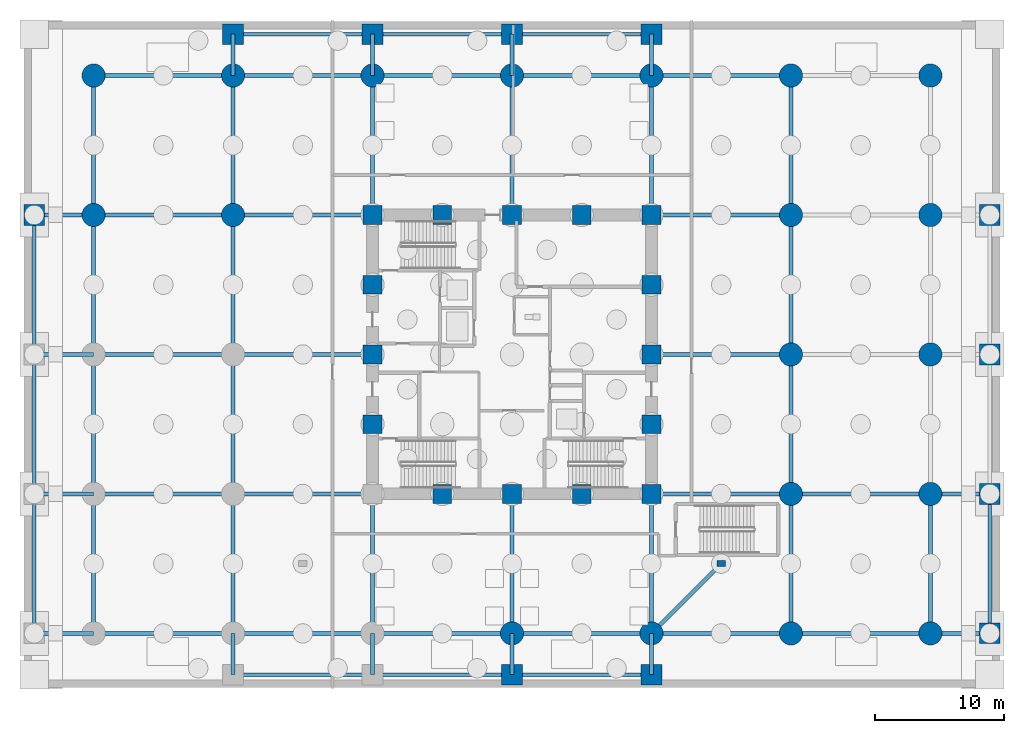
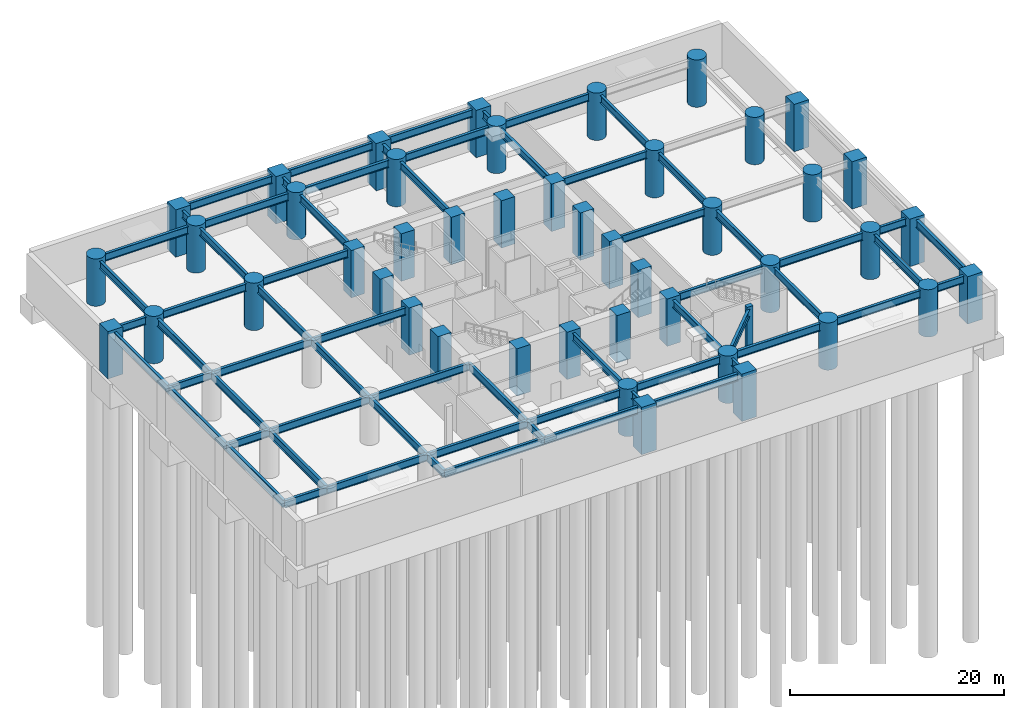
# One storey, part 2 of 9: 65 beams, 46 columns.
"""IFC4 building model written with IfcOpenShell, lengths in metres."""

from ifc_helpers import new_model, si_unit, direction, frame, origin, origin_2d, place, context, subcontext, project, spatial, rectangle, circle, i_section, extrude, material, material_profile, profile_set, type_object, element, save


model = new_model("IFC4")

# Units and contexts
model_context = context("Model", 3, precision=1e-05, world=origin(), true_north=direction((0.0, 1.0)))
body_context = subcontext(model_context, "Body", "Model", "MODEL_VIEW")
ifc_project = project(units=[si_unit("LENGTHUNIT", "METRE"), si_unit("AREAUNIT", "SQUARE_METRE"), si_unit("VOLUMEUNIT", "CUBIC_METRE"), si_unit("PLANEANGLEUNIT", "RADIAN"), si_unit("MASSUNIT", "GRAM", prefix="KILO")], contexts=[model_context])

# Site, building, storey
site_placement = place(None, origin())
site = spatial("IfcSite", under=ifc_project, at=site_placement, CompositionType="ELEMENT")
building_placement = place(site_placement, origin())
building = spatial("IfcBuilding", under=site, at=building_placement, Name="Surkhivell Harbour Commons", CompositionType="ELEMENT")
storey_placement = place(building_placement, frame((0.0, 0.0, -5.39990234375)))
storey = spatial("IfcBuildingStorey", under=building, at=storey_placement, Name="B1", CompositionType="ELEMENT", Elevation=-5.39990234375)

# Columns
ifc_material_1 = material(Name="Concrete C80/95", Category="concrete")
ifc_material_profile_1 = material_profile(ifc_material_1, rectangle(XDim=1.449951171875, YDim=1.449951171875, at=origin_2d()), Name="RC-COL-1450x1450")
ifc_profile_set_1 = profile_set([ifc_material_profile_1], Name="Concrete C80/95")
column_type_1 = type_object("IfcColumnType", Name="COL-CORE-1450", PredefinedType="COLUMN", material=ifc_profile_set_1)
for number, where, z_axis, x_axis, name in (
    (1, (-10.800048828125, -5.39990234375, 0.0), (0.0, 0.0, 1.0), (1.0, 0.0, 0.0), "B1 Column CC-1 (-10.8,-5.4)"),
    (2, (-10.800048828125, 0.0, 0.0), (0.0, 0.0, 1.0), (1.0, 0.0, 0.0), "B1 Column CC-1 (-10.8,0.0)"),
    (3, (-10.800048828125, 5.39990234375, 0.0), (0.0, 0.0, 1.0), (1.0, 0.0, 0.0), "B1 Column CC-1 (-10.8,5.4)"),
    (4, (-10.800048828125, 10.800048828125, 0.0), (0.0, 0.0, 1.0), (1.0, 0.0, 0.0), "B1 Column CC-1 (-10.8,10.8)"),
    (5, (-5.39990234375, -10.800048828125, 0.0), (0.0, 0.0, 1.0), (1.0, 0.0, 0.0), "B1 Column CC-1 (-5.4,-10.8)"),
    (6, (-5.39990234375, 10.800048828125, 0.0), (0.0, 0.0, 1.0), (1.0, 0.0, 0.0), "B1 Column CC-1 (-5.4,10.8)"),
    (7, (0.0, -10.800048828125, 0.0), (0.0, 0.0, 1.0), (1.0, 0.0, 0.0), "B1 Column CC-1 (0.0,-10.8)"),
    (8, (0.0, 10.800048828125, 0.0), (0.0, 0.0, 1.0), (1.0, 0.0, 0.0), "B1 Column CC-1 (0.0,10.8)"),
    (9, (5.39990234375, -10.800048828125, 0.0), (0.0, 0.0, 1.0), (1.0, 0.0, 0.0), "B1 Column CC-1 (5.4,-10.8)"),
    (10, (5.39990234375, 10.800048828125, 0.0), (0.0, 0.0, 1.0), (1.0, 0.0, 0.0), "B1 Column CC-1 (5.4,10.8)"),
    (11, (10.800048828125, -10.800048828125, 0.0), (0.0, 0.0, 1.0), (1.0, 0.0, 0.0), "B1 Column CC-1 (10.8,-10.8)"),
    (12, (10.800048828125, -5.39990234375, 0.0), (0.0, 0.0, 1.0), (1.0, 0.0, 0.0), "B1 Column CC-1 (10.8,-5.4)"),
    (13, (10.800048828125, 0.0, 0.0), (0.0, 0.0, 1.0), (1.0, 0.0, 0.0), "B1 Column CC-1 (10.8,0.0)"),
    (14, (10.800048828125, 5.39990234375, 0.0), (0.0, 0.0, 1.0), (1.0, 0.0, 0.0), "B1 Column CC-1 (10.8,5.4)"),
    (15, (10.800048828125, 10.800048828125, 0.0), (0.0, 0.0, 1.0), (1.0, 0.0, 0.0), "B1 Column CC-1 (10.8,10.8)"),
):
    element("IfcColumn", number, at=place(storey_placement, frame(where, z_axis=z_axis, x_axis=x_axis)), inside=storey, type_object=column_type_1, Name=name, PredefinedType="COLUMN", context=body_context, shape_type="SweptSolid", body=[
        extrude(rectangle(XDim=1.449951171875, YDim=1.449951171875, at=origin_2d()), origin(), (0.0, 0.0, 1.0), 5.39990234375),
    ])
ifc_material_profile_2 = material_profile(ifc_material_1, rectangle(XDim=1.60009765625, YDim=1.60009765625, at=origin_2d()), Name="RC-COL-1600x1600")
ifc_profile_set_2 = profile_set([ifc_material_profile_2], Name="Concrete C80/95")
column_type_2 = type_object("IfcColumnType", Name="COL-MEGA-1600", PredefinedType="COLUMN", material=ifc_profile_set_2)
for number, where, z_axis, x_axis, name in (
    (16, (-37.0, 10.800048828125, 0.0), (0.0, 0.0, 1.0), (1.0, 0.0, 0.0), "B1 Column CM-1 (-37.0,10.8)"),
    (17, (-21.60009765625, 24.800048828125, 0.0), (0.0, 0.0, 1.0), (1.0, 0.0, 0.0), "B1 Column CM-1 (-21.6,24.8)"),
    (18, (-10.800048828125, 24.800048828125, 0.0), (0.0, 0.0, 1.0), (1.0, 0.0, 0.0), "B1 Column CM-1 (-10.8,24.8)"),
    (19, (0.0, -24.800048828125, 0.0), (0.0, 0.0, 1.0), (1.0, 0.0, 0.0), "B1 Column CM-1 (0.0,-24.8)"),
    (20, (0.0, 24.800048828125, 0.0), (0.0, 0.0, 1.0), (1.0, 0.0, 0.0), "B1 Column CM-1 (0.0,24.8)"),
    (21, (10.800048828125, -24.800048828125, 0.0), (0.0, 0.0, 1.0), (1.0, 0.0, 0.0), "B1 Column CM-1 (10.8,-24.8)"),
    (22, (10.800048828125, 24.800048828125, 0.0), (0.0, 0.0, 1.0), (1.0, 0.0, 0.0), "B1 Column CM-1 (10.8,24.8)"),
    (23, (37.0, -21.60009765625, 0.0), (0.0, 0.0, 1.0), (1.0, 0.0, 0.0), "B1 Column CM-1 (37.0,-21.6)"),
    (24, (37.0, -10.800048828125, 0.0), (0.0, 0.0, 1.0), (1.0, 0.0, 0.0), "B1 Column CM-1 (37.0,-10.8)"),
    (25, (37.0, 0.0, 0.0), (0.0, 0.0, 1.0), (1.0, 0.0, 0.0), "B1 Column CM-1 (37.0,0.0)"),
    (26, (37.0, 10.800048828125, 0.0), (0.0, 0.0, 1.0), (1.0, 0.0, 0.0), "B1 Column CM-1 (37.0,10.8)"),
):
    element("IfcColumn", number, at=place(storey_placement, frame(where, z_axis=z_axis, x_axis=x_axis)), inside=storey, type_object=column_type_2, Name=name, PredefinedType="COLUMN", context=body_context, shape_type="SweptSolid", body=[
        extrude(rectangle(XDim=1.60009765625, YDim=1.60009765625, at=origin_2d()), origin(), (0.0, 0.0, 1.0), 5.39990234375),
    ])
ifc_material_2 = material(Name="Concrete C50/60", Category="concrete")
ifc_material_profile_3 = material_profile(ifc_material_2, rectangle(XDim=0.64990234375, YDim=0.449951171875, at=origin_2d()), Name="RC-PIL-650x450")
ifc_profile_set_3 = profile_set([ifc_material_profile_3], Name="Concrete C50/60")
column_type_3 = type_object("IfcColumnType", Name="COL-PIL-650", PredefinedType="PILASTER", material=ifc_profile_set_3)
column_placement = place(storey_placement, frame((16.199951171875, -16.199951171875, 0.0), z_axis=(0.0, 0.0, 1.0), x_axis=(1.0, 0.0, 0.0)))
element("IfcColumn", 27, at=column_placement, inside=storey, type_object=column_type_3, Name="B1 Brick-Clad Entrance Pilaster 2", PredefinedType="PILASTER", context=body_context, shape_type="SweptSolid", body=[
    extrude(rectangle(XDim=0.64990234375, YDim=0.449951171875, at=origin_2d()), origin(), (0.0, 0.0, 1.0), 5.39990234375),
])
ifc_material_profile_4 = material_profile(ifc_material_1, circle(Radius=0.89990234375, at=origin_2d()), Name="RC-CIRC-1800")
ifc_profile_set_4 = profile_set([ifc_material_profile_4], Name="Concrete C80/95")
column_type_4 = type_object("IfcColumnType", Name="COL-STILT-1800", PredefinedType="COLUMN", material=ifc_profile_set_4)
for number, where, z_axis, x_axis, name in (
    (28, (-32.39990234375, 10.800048828125, 0.0), (0.0, 0.0, 1.0), (1.0, 0.0, 0.0), "B1 Column CS-1 (-32.4,10.8)"),
    (29, (-32.39990234375, 21.60009765625, 0.0), (0.0, 0.0, 1.0), (1.0, 0.0, 0.0), "B1 Column CS-1 (-32.4,21.6)"),
    (30, (-21.60009765625, 10.800048828125, 0.0), (0.0, 0.0, 1.0), (1.0, 0.0, 0.0), "B1 Column CS-1 (-21.6,10.8)"),
    (31, (-21.60009765625, 21.60009765625, 0.0), (0.0, 0.0, 1.0), (1.0, 0.0, 0.0), "B1 Column CS-1 (-21.6,21.6)"),
    (32, (-10.800048828125, 21.60009765625, 0.0), (0.0, 0.0, 1.0), (1.0, 0.0, 0.0), "B1 Column CS-1 (-10.8,21.6)"),
    (33, (0.0, -21.60009765625, 0.0), (0.0, 0.0, 1.0), (1.0, 0.0, 0.0), "B1 Column CS-1 (0.0,-21.6)"),
    (34, (0.0, 21.60009765625, 0.0), (0.0, 0.0, 1.0), (1.0, 0.0, 0.0), "B1 Column CS-1 (0.0,21.6)"),
    (35, (10.800048828125, -21.60009765625, 0.0), (0.0, 0.0, 1.0), (1.0, 0.0, 0.0), "B1 Column CS-1 (10.8,-21.6)"),
    (36, (10.800048828125, 21.60009765625, 0.0), (0.0, 0.0, 1.0), (1.0, 0.0, 0.0), "B1 Column CS-1 (10.8,21.6)"),
    (37, (21.60009765625, -21.60009765625, 0.0), (0.0, 0.0, 1.0), (1.0, 0.0, 0.0), "B1 Column CS-1 (21.6,-21.6)"),
    (38, (21.60009765625, -10.800048828125, 0.0), (0.0, 0.0, 1.0), (1.0, 0.0, 0.0), "B1 Column CS-1 (21.6,-10.8)"),
    (39, (21.60009765625, 0.0, 0.0), (0.0, 0.0, 1.0), (1.0, 0.0, 0.0), "B1 Column CS-1 (21.6,0.0)"),
    (40, (21.60009765625, 10.800048828125, 0.0), (0.0, 0.0, 1.0), (1.0, 0.0, 0.0), "B1 Column CS-1 (21.6,10.8)"),
    (41, (21.60009765625, 21.60009765625, 0.0), (0.0, 0.0, 1.0), (1.0, 0.0, 0.0), "B1 Column CS-1 (21.6,21.6)"),
    (42, (32.39990234375, -21.60009765625, 0.0), (0.0, 0.0, 1.0), (1.0, 0.0, 0.0), "B1 Column CS-1 (32.4,-21.6)"),
    (43, (32.39990234375, -10.800048828125, 0.0), (0.0, 0.0, 1.0), (1.0, 0.0, 0.0), "B1 Column CS-1 (32.4,-10.8)"),
    (44, (32.39990234375, 0.0, 0.0), (0.0, 0.0, 1.0), (1.0, 0.0, 0.0), "B1 Column CS-1 (32.4,0.0)"),
    (45, (32.39990234375, 10.800048828125, 0.0), (0.0, 0.0, 1.0), (1.0, 0.0, 0.0), "B1 Column CS-1 (32.4,10.8)"),
    (46, (32.39990234375, 21.60009765625, 0.0), (0.0, 0.0, 1.0), (1.0, 0.0, 0.0), "B1 Column CS-1 (32.4,21.6)"),
):
    element("IfcColumn", number, at=place(storey_placement, frame(where, z_axis=z_axis, x_axis=x_axis)), inside=storey, type_object=column_type_4, Name=name, PredefinedType="COLUMN", context=body_context, shape_type="SweptSolid", body=[
        extrude(circle(Radius=0.89990234375, at=origin_2d()), origin(), (0.0, 0.0, 1.0), 5.39990234375),
    ])

# Beams
ifc_material_3 = material(Name="Steel S460", Category="steel")
ifc_material_profile_5 = material_profile(ifc_material_3, i_section(OverallWidth=0.2939453125, OverallDepth=0.85107421875, WebThickness=0.01611328125, FlangeThickness=0.02685546875, at=origin_2d()), Name="UB838x292x226")
ifc_profile_set_5 = profile_set([ifc_material_profile_5], Name="Steel S460")
beam_type = type_object("IfcBeamType", Name="BM-SPN-838", PredefinedType="SPANDREL", material=ifc_profile_set_5)
beam_1_placement = place(storey_placement, frame((-37.0, -21.60009765625, 4.67431640625), z_axis=(0.0, 1.0, 0.0), x_axis=(-1.0, 0.0, 0.0)))
element("IfcBeam", 47, at=beam_1_placement, inside=storey, type_object=beam_type, Name="B1 Framing Beam (-37.0,-21.6)", PredefinedType="SPANDREL", context=body_context, shape_type="SweptSolid", body=[
    extrude(i_section(OverallWidth=0.2939453125, OverallDepth=0.85107421875, WebThickness=0.01611328125, FlangeThickness=0.02685546875, at=origin_2d()), origin(), (0.0, 0.0, 1.0), 10.800048828125),
])
beam_2_placement = place(storey_placement, frame((-37.0, -21.60009765625, 4.67431640625), z_axis=(1.0, 0.0, 0.0), x_axis=(0.0, 1.0, 0.0)))
element("IfcBeam", 48, at=beam_2_placement, inside=storey, type_object=beam_type, Name="B1 Framing Beam (-37.0,-21.6)", PredefinedType="SPANDREL", context=body_context, shape_type="SweptSolid", body=[
    extrude(i_section(OverallWidth=0.2939453125, OverallDepth=0.85107421875, WebThickness=0.01611328125, FlangeThickness=0.02685546875, at=origin_2d()), origin(), (0.0, 0.0, 1.0), 4.60009765625),
])
beam_3_placement = place(storey_placement, frame((-37.0, -10.800048828125, 4.67431640625), z_axis=(0.0, 1.0, 0.0), x_axis=(-1.0, 0.0, 0.0)))
element("IfcBeam", 49, at=beam_3_placement, inside=storey, type_object=beam_type, Name="B1 Framing Beam (-37.0,-10.8)", PredefinedType="SPANDREL", context=body_context, shape_type="SweptSolid", body=[
    extrude(i_section(OverallWidth=0.2939453125, OverallDepth=0.85107421875, WebThickness=0.01611328125, FlangeThickness=0.02685546875, at=origin_2d()), origin(), (0.0, 0.0, 1.0), 10.800048828125),
])
beam_4_placement = place(storey_placement, frame((-37.0, -10.800048828125, 4.67431640625), z_axis=(1.0, 0.0, 0.0), x_axis=(0.0, 1.0, 0.0)))
element("IfcBeam", 50, at=beam_4_placement, inside=storey, type_object=beam_type, Name="B1 Framing Beam (-37.0,-10.8)", PredefinedType="SPANDREL", context=body_context, shape_type="SweptSolid", body=[
    extrude(i_section(OverallWidth=0.2939453125, OverallDepth=0.85107421875, WebThickness=0.01611328125, FlangeThickness=0.02685546875, at=origin_2d()), origin(), (0.0, 0.0, 1.0), 4.60009765625),
])
beam_5_placement = place(storey_placement, frame((-37.0, 0.0, 4.67431640625), z_axis=(0.0, 1.0, 0.0), x_axis=(-1.0, 0.0, 0.0)))
element("IfcBeam", 51, at=beam_5_placement, inside=storey, type_object=beam_type, Name="B1 Framing Beam (-37.0,0.0)", PredefinedType="SPANDREL", context=body_context, shape_type="SweptSolid", body=[
    extrude(i_section(OverallWidth=0.2939453125, OverallDepth=0.85107421875, WebThickness=0.01611328125, FlangeThickness=0.02685546875, at=origin_2d()), origin(), (0.0, 0.0, 1.0), 10.800048828125),
])
for number, where, z_axis, x_axis, name in (
    (52, (-37.0, 0.0, 4.67431640625), (1.0, 0.0, 0.0), (0.0, 1.0, 0.0), "B1 Framing Beam (-37.0,0.0)"),
    (53, (-37.0, 10.800048828125, 4.67431640625), (1.0, 0.0, 0.0), (0.0, 1.0, 0.0), "B1 Framing Beam (-37.0,10.8)"),
):
    element("IfcBeam", number, at=place(storey_placement, frame(where, z_axis=z_axis, x_axis=x_axis)), inside=storey, type_object=beam_type, Name=name, PredefinedType="SPANDREL", context=body_context, shape_type="SweptSolid", body=[
        extrude(i_section(OverallWidth=0.2939453125, OverallDepth=0.85107421875, WebThickness=0.01611328125, FlangeThickness=0.02685546875, at=origin_2d()), origin(), (0.0, 0.0, 1.0), 4.60009765625),
    ])
beam_6_placement = place(storey_placement, frame((-32.39990234375, -21.60009765625, 4.67431640625), z_axis=(0.0, 1.0, 0.0), x_axis=(-1.0, 0.0, 0.0)))
element("IfcBeam", 54, at=beam_6_placement, inside=storey, type_object=beam_type, Name="B1 Framing Beam (-32.4,-21.6)", PredefinedType="SPANDREL", context=body_context, shape_type="SweptSolid", body=[
    extrude(i_section(OverallWidth=0.2939453125, OverallDepth=0.85107421875, WebThickness=0.01611328125, FlangeThickness=0.02685546875, at=origin_2d()), origin(), (0.0, 0.0, 1.0), 10.800048828125),
])
beam_7_placement = place(storey_placement, frame((-32.39990234375, -21.60009765625, 4.67431640625), z_axis=(1.0, 0.0, 0.0), x_axis=(0.0, 1.0, 0.0)))
element("IfcBeam", 55, at=beam_7_placement, inside=storey, type_object=beam_type, Name="B1 Framing Beam (-32.4,-21.6)", PredefinedType="SPANDREL", context=body_context, shape_type="SweptSolid", body=[
    extrude(i_section(OverallWidth=0.2939453125, OverallDepth=0.85107421875, WebThickness=0.01611328125, FlangeThickness=0.02685546875, at=origin_2d()), origin(), (0.0, 0.0, 1.0), 10.7998046875),
])
beam_8_placement = place(storey_placement, frame((-32.39990234375, -10.800048828125, 4.67431640625), z_axis=(0.0, 1.0, 0.0), x_axis=(-1.0, 0.0, 0.0)))
element("IfcBeam", 56, at=beam_8_placement, inside=storey, type_object=beam_type, Name="B1 Framing Beam (-32.4,-10.8)", PredefinedType="SPANDREL", context=body_context, shape_type="SweptSolid", body=[
    extrude(i_section(OverallWidth=0.2939453125, OverallDepth=0.85107421875, WebThickness=0.01611328125, FlangeThickness=0.02685546875, at=origin_2d()), origin(), (0.0, 0.0, 1.0), 10.800048828125),
])
beam_9_placement = place(storey_placement, frame((-32.39990234375, -10.800048828125, 4.67431640625), z_axis=(1.0, 0.0, 0.0), x_axis=(0.0, 1.0, 0.0)))
element("IfcBeam", 57, at=beam_9_placement, inside=storey, type_object=beam_type, Name="B1 Framing Beam (-32.4,-10.8)", PredefinedType="SPANDREL", context=body_context, shape_type="SweptSolid", body=[
    extrude(i_section(OverallWidth=0.2939453125, OverallDepth=0.85107421875, WebThickness=0.01611328125, FlangeThickness=0.02685546875, at=origin_2d()), origin(), (0.0, 0.0, 1.0), 10.7998046875),
])
beam_10_placement = place(storey_placement, frame((-32.39990234375, 0.0, 4.67431640625), z_axis=(0.0, 1.0, 0.0), x_axis=(-1.0, 0.0, 0.0)))
element("IfcBeam", 58, at=beam_10_placement, inside=storey, type_object=beam_type, Name="B1 Framing Beam (-32.4,0.0)", PredefinedType="SPANDREL", context=body_context, shape_type="SweptSolid", body=[
    extrude(i_section(OverallWidth=0.2939453125, OverallDepth=0.85107421875, WebThickness=0.01611328125, FlangeThickness=0.02685546875, at=origin_2d()), origin(), (0.0, 0.0, 1.0), 10.800048828125),
])
beam_11_placement = place(storey_placement, frame((-32.39990234375, 0.0, 4.67431640625), z_axis=(1.0, 0.0, 0.0), x_axis=(0.0, 1.0, 0.0)))
element("IfcBeam", 59, at=beam_11_placement, inside=storey, type_object=beam_type, Name="B1 Framing Beam (-32.4,0.0)", PredefinedType="SPANDREL", context=body_context, shape_type="SweptSolid", body=[
    extrude(i_section(OverallWidth=0.2939453125, OverallDepth=0.85107421875, WebThickness=0.01611328125, FlangeThickness=0.02685546875, at=origin_2d()), origin(), (0.0, 0.0, 1.0), 10.7998046875),
])
beam_12_placement = place(storey_placement, frame((-32.39990234375, 10.800048828125, 4.67431640625), z_axis=(0.0, 1.0, 0.0), x_axis=(-1.0, 0.0, 0.0)))
element("IfcBeam", 60, at=beam_12_placement, inside=storey, type_object=beam_type, Name="B1 Framing Beam (-32.4,10.8)", PredefinedType="SPANDREL", context=body_context, shape_type="SweptSolid", body=[
    extrude(i_section(OverallWidth=0.2939453125, OverallDepth=0.85107421875, WebThickness=0.01611328125, FlangeThickness=0.02685546875, at=origin_2d()), origin(), (0.0, 0.0, 1.0), 10.800048828125),
])
for number, where, z_axis, x_axis, name in (
    (61, (-32.39990234375, 10.800048828125, 4.67431640625), (1.0, 0.0, 0.0), (0.0, 1.0, 0.0), "B1 Framing Beam (-32.4,10.8)"),
    (62, (-32.39990234375, 21.60009765625, 4.67431640625), (1.0, 0.0, 0.0), (0.0, 1.0, 0.0), "B1 Framing Beam (-32.4,21.6)"),
):
    element("IfcBeam", number, at=place(storey_placement, frame(where, z_axis=z_axis, x_axis=x_axis)), inside=storey, type_object=beam_type, Name=name, PredefinedType="SPANDREL", context=body_context, shape_type="SweptSolid", body=[
        extrude(i_section(OverallWidth=0.2939453125, OverallDepth=0.85107421875, WebThickness=0.01611328125, FlangeThickness=0.02685546875, at=origin_2d()), origin(), (0.0, 0.0, 1.0), 10.7998046875),
    ])
beam_13_placement = place(storey_placement, frame((-21.60009765625, -24.800048828125, 4.67431640625), z_axis=(0.0, 1.0, 0.0), x_axis=(-1.0, 0.0, 0.0)))
element("IfcBeam", 63, at=beam_13_placement, inside=storey, type_object=beam_type, Name="B1 Framing Beam (-21.6,-24.8)", PredefinedType="SPANDREL", context=body_context, shape_type="SweptSolid", body=[
    extrude(i_section(OverallWidth=0.2939453125, OverallDepth=0.85107421875, WebThickness=0.01611328125, FlangeThickness=0.02685546875, at=origin_2d()), origin(), (0.0, 0.0, 1.0), 3.199951171875),
])
for number, where, z_axis, x_axis, name in (
    (64, (-21.60009765625, -24.800048828125, 4.67431640625), (1.0, 0.0, 0.0), (0.0, 1.0, 0.0), "B1 Framing Beam (-21.6,-24.8)"),
    (65, (-21.60009765625, -21.60009765625, 4.67431640625), (0.0, 1.0, 0.0), (-1.0, 0.0, 0.0), "B1 Framing Beam (-21.6,-21.6)"),
    (66, (-21.60009765625, -21.60009765625, 4.67431640625), (1.0, 0.0, 0.0), (0.0, 1.0, 0.0), "B1 Framing Beam (-21.6,-21.6)"),
    (67, (-21.60009765625, -10.800048828125, 4.67431640625), (0.0, 1.0, 0.0), (-1.0, 0.0, 0.0), "B1 Framing Beam (-21.6,-10.8)"),
    (68, (-21.60009765625, -10.800048828125, 4.67431640625), (1.0, 0.0, 0.0), (0.0, 1.0, 0.0), "B1 Framing Beam (-21.6,-10.8)"),
    (69, (-21.60009765625, 0.0, 4.67431640625), (0.0, 1.0, 0.0), (-1.0, 0.0, 0.0), "B1 Framing Beam (-21.6,0.0)"),
    (70, (-21.60009765625, 0.0, 4.67431640625), (1.0, 0.0, 0.0), (0.0, 1.0, 0.0), "B1 Framing Beam (-21.6,0.0)"),
    (71, (-21.60009765625, 10.800048828125, 4.67431640625), (0.0, 1.0, 0.0), (-1.0, 0.0, 0.0), "B1 Framing Beam (-21.6,10.8)"),
    (72, (-21.60009765625, 10.800048828125, 4.67431640625), (1.0, 0.0, 0.0), (0.0, 1.0, 0.0), "B1 Framing Beam (-21.6,10.8)"),
):
    element("IfcBeam", number, at=place(storey_placement, frame(where, z_axis=z_axis, x_axis=x_axis)), inside=storey, type_object=beam_type, Name=name, PredefinedType="SPANDREL", context=body_context, shape_type="SweptSolid", body=[
        extrude(i_section(OverallWidth=0.2939453125, OverallDepth=0.85107421875, WebThickness=0.01611328125, FlangeThickness=0.02685546875, at=origin_2d()), origin(), (0.0, 0.0, 1.0), 10.800048828125),
    ])
beam_14_placement = place(storey_placement, frame((-21.60009765625, 21.60009765625, 4.67431640625), z_axis=(0.0, 1.0, 0.0), x_axis=(-1.0, 0.0, 0.0)))
element("IfcBeam", 73, at=beam_14_placement, inside=storey, type_object=beam_type, Name="B1 Framing Beam (-21.6,21.6)", PredefinedType="SPANDREL", context=body_context, shape_type="SweptSolid", body=[
    extrude(i_section(OverallWidth=0.2939453125, OverallDepth=0.85107421875, WebThickness=0.01611328125, FlangeThickness=0.02685546875, at=origin_2d()), origin(), (0.0, 0.0, 1.0), 3.199951171875),
])
for number, where, z_axis, x_axis, name in (
    (74, (-21.60009765625, 21.60009765625, 4.67431640625), (1.0, 0.0, 0.0), (0.0, 1.0, 0.0), "B1 Framing Beam (-21.6,21.6)"),
    (75, (-21.60009765625, 24.800048828125, 4.67431640625), (1.0, 0.0, 0.0), (0.0, 1.0, 0.0), "B1 Framing Beam (-21.6,24.8)"),
):
    element("IfcBeam", number, at=place(storey_placement, frame(where, z_axis=z_axis, x_axis=x_axis)), inside=storey, type_object=beam_type, Name=name, PredefinedType="SPANDREL", context=body_context, shape_type="SweptSolid", body=[
        extrude(i_section(OverallWidth=0.2939453125, OverallDepth=0.85107421875, WebThickness=0.01611328125, FlangeThickness=0.02685546875, at=origin_2d()), origin(), (0.0, 0.0, 1.0), 10.800048828125),
    ])
beam_15_placement = place(storey_placement, frame((-10.800048828125, -24.800048828125, 4.67431640625), z_axis=(0.0, 1.0, 0.0), x_axis=(-1.0, 0.0, 0.0)))
element("IfcBeam", 76, at=beam_15_placement, inside=storey, type_object=beam_type, Name="B1 Framing Beam (-10.8,-24.8)", PredefinedType="SPANDREL", context=body_context, shape_type="SweptSolid", body=[
    extrude(i_section(OverallWidth=0.2939453125, OverallDepth=0.85107421875, WebThickness=0.01611328125, FlangeThickness=0.02685546875, at=origin_2d()), origin(), (0.0, 0.0, 1.0), 3.199951171875),
])
for number, where, z_axis, x_axis, name in (
    (77, (-10.800048828125, -24.800048828125, 4.67431640625), (1.0, 0.0, 0.0), (0.0, 1.0, 0.0), "B1 Framing Beam (-10.8,-24.8)"),
    (78, (-10.800048828125, -21.60009765625, 4.67431640625), (0.0, 1.0, 0.0), (-1.0, 0.0, 0.0), "B1 Framing Beam (-10.8,-21.6)"),
    (79, (-10.800048828125, -21.60009765625, 4.67431640625), (1.0, 0.0, 0.0), (0.0, 1.0, 0.0), "B1 Framing Beam (-10.8,-21.6)"),
    (80, (-10.800048828125, 10.800048828125, 4.67431640625), (0.0, 1.0, 0.0), (-1.0, 0.0, 0.0), "B1 Framing Beam (-10.8,10.8)"),
):
    element("IfcBeam", number, at=place(storey_placement, frame(where, z_axis=z_axis, x_axis=x_axis)), inside=storey, type_object=beam_type, Name=name, PredefinedType="SPANDREL", context=body_context, shape_type="SweptSolid", body=[
        extrude(i_section(OverallWidth=0.2939453125, OverallDepth=0.85107421875, WebThickness=0.01611328125, FlangeThickness=0.02685546875, at=origin_2d()), origin(), (0.0, 0.0, 1.0), 10.800048828125),
    ])
beam_16_placement = place(storey_placement, frame((-10.800048828125, 21.60009765625, 4.67431640625), z_axis=(0.0, 1.0, 0.0), x_axis=(-1.0, 0.0, 0.0)))
element("IfcBeam", 81, at=beam_16_placement, inside=storey, type_object=beam_type, Name="B1 Framing Beam (-10.8,21.6)", PredefinedType="SPANDREL", context=body_context, shape_type="SweptSolid", body=[
    extrude(i_section(OverallWidth=0.2939453125, OverallDepth=0.85107421875, WebThickness=0.01611328125, FlangeThickness=0.02685546875, at=origin_2d()), origin(), (0.0, 0.0, 1.0), 3.199951171875),
])
for number, where, z_axis, x_axis, name in (
    (82, (-10.800048828125, 21.60009765625, 4.67431640625), (1.0, 0.0, 0.0), (0.0, 1.0, 0.0), "B1 Framing Beam (-10.8,21.6)"),
    (83, (-10.800048828125, 24.800048828125, 4.67431640625), (1.0, 0.0, 0.0), (0.0, 1.0, 0.0), "B1 Framing Beam (-10.8,24.8)"),
):
    element("IfcBeam", number, at=place(storey_placement, frame(where, z_axis=z_axis, x_axis=x_axis)), inside=storey, type_object=beam_type, Name=name, PredefinedType="SPANDREL", context=body_context, shape_type="SweptSolid", body=[
        extrude(i_section(OverallWidth=0.2939453125, OverallDepth=0.85107421875, WebThickness=0.01611328125, FlangeThickness=0.02685546875, at=origin_2d()), origin(), (0.0, 0.0, 1.0), 10.800048828125),
    ])
beam_17_placement = place(storey_placement, frame((0.0, -24.800048828125, 4.67431640625), z_axis=(0.0, 1.0, 0.0), x_axis=(-1.0, 0.0, 0.0)))
element("IfcBeam", 84, at=beam_17_placement, inside=storey, type_object=beam_type, Name="B1 Framing Beam (0.0,-24.8)", PredefinedType="SPANDREL", context=body_context, shape_type="SweptSolid", body=[
    extrude(i_section(OverallWidth=0.2939453125, OverallDepth=0.85107421875, WebThickness=0.01611328125, FlangeThickness=0.02685546875, at=origin_2d()), origin(), (0.0, 0.0, 1.0), 3.199951171875),
])
for number, where, z_axis, x_axis, name in (
    (85, (0.0, -24.800048828125, 4.67431640625), (1.0, 0.0, 0.0), (0.0, 1.0, 0.0), "B1 Framing Beam (0.0,-24.8)"),
    (86, (0.0, -21.60009765625, 4.67431640625), (0.0, 1.0, 0.0), (-1.0, 0.0, 0.0), "B1 Framing Beam (0.0,-21.6)"),
    (87, (0.0, -21.60009765625, 4.67431640625), (1.0, 0.0, 0.0), (0.0, 1.0, 0.0), "B1 Framing Beam (0.0,-21.6)"),
    (88, (0.0, 10.800048828125, 4.67431640625), (0.0, 1.0, 0.0), (-1.0, 0.0, 0.0), "B1 Framing Beam (0.0,10.8)"),
):
    element("IfcBeam", number, at=place(storey_placement, frame(where, z_axis=z_axis, x_axis=x_axis)), inside=storey, type_object=beam_type, Name=name, PredefinedType="SPANDREL", context=body_context, shape_type="SweptSolid", body=[
        extrude(i_section(OverallWidth=0.2939453125, OverallDepth=0.85107421875, WebThickness=0.01611328125, FlangeThickness=0.02685546875, at=origin_2d()), origin(), (0.0, 0.0, 1.0), 10.800048828125),
    ])
beam_18_placement = place(storey_placement, frame((0.0, 21.60009765625, 4.67431640625), z_axis=(0.0, 1.0, 0.0), x_axis=(-1.0, 0.0, 0.0)))
element("IfcBeam", 89, at=beam_18_placement, inside=storey, type_object=beam_type, Name="B1 Framing Beam (0.0,21.6)", PredefinedType="SPANDREL", context=body_context, shape_type="SweptSolid", body=[
    extrude(i_section(OverallWidth=0.2939453125, OverallDepth=0.85107421875, WebThickness=0.01611328125, FlangeThickness=0.02685546875, at=origin_2d()), origin(), (0.0, 0.0, 1.0), 3.199951171875),
])
for number, where, z_axis, x_axis, name in (
    (90, (0.0, 21.60009765625, 4.67431640625), (1.0, 0.0, 0.0), (0.0, 1.0, 0.0), "B1 Framing Beam (0.0,21.6)"),
    (91, (0.0, 24.800048828125, 4.67431640625), (1.0, 0.0, 0.0), (0.0, 1.0, 0.0), "B1 Framing Beam (0.0,24.8)"),
):
    element("IfcBeam", number, at=place(storey_placement, frame(where, z_axis=z_axis, x_axis=x_axis)), inside=storey, type_object=beam_type, Name=name, PredefinedType="SPANDREL", context=body_context, shape_type="SweptSolid", body=[
        extrude(i_section(OverallWidth=0.2939453125, OverallDepth=0.85107421875, WebThickness=0.01611328125, FlangeThickness=0.02685546875, at=origin_2d()), origin(), (0.0, 0.0, 1.0), 10.800048828125),
    ])
beam_19_placement = place(storey_placement, frame((10.800048828125, -24.800048828125, 4.67431640625), z_axis=(0.0, 1.0, 0.0), x_axis=(-1.0, 0.0, 0.0)))
element("IfcBeam", 92, at=beam_19_placement, inside=storey, type_object=beam_type, Name="B1 Framing Beam (10.8,-24.8)", PredefinedType="SPANDREL", context=body_context, shape_type="SweptSolid", body=[
    extrude(i_section(OverallWidth=0.2939453125, OverallDepth=0.85107421875, WebThickness=0.01611328125, FlangeThickness=0.02685546875, at=origin_2d()), origin(), (0.0, 0.0, 1.0), 3.199951171875),
])
beam_20_placement = place(storey_placement, frame((10.800048828125, -21.60009765625, 4.67431640625), z_axis=(0.0, 1.0, 0.0), x_axis=(-1.0, 0.0, 0.0)))
element("IfcBeam", 93, at=beam_20_placement, inside=storey, type_object=beam_type, Name="B1 Framing Beam (10.8,-21.6)", PredefinedType="SPANDREL", context=body_context, shape_type="SweptSolid", body=[
    extrude(i_section(OverallWidth=0.2939453125, OverallDepth=0.85107421875, WebThickness=0.01611328125, FlangeThickness=0.02685546875, at=origin_2d()), origin(), (0.0, 0.0, 1.0), 10.800048828125),
])
beam_21_placement = place(storey_placement, frame((10.800048828125, -21.60009765625, 4.67431640625), z_axis=(0.707090796496, 0.707122765516, 0.0), x_axis=(-0.707122765516, 0.707090796496, 0.0)))
element("IfcBeam", 94, at=beam_21_placement, inside=storey, type_object=beam_type, Name="B1 Framing Beam (10.8,-21.6)", PredefinedType="SPANDREL", context=body_context, shape_type="SweptSolid", body=[
    extrude(i_section(OverallWidth=0.2939453125, OverallDepth=0.85107421875, WebThickness=0.01611328125, FlangeThickness=0.02685546875, at=origin_2d()), origin(), (0.0, 0.0, 1.0), 7.63671875),
])
for number, where, z_axis, x_axis, name in (
    (95, (10.800048828125, -21.60009765625, 4.67431640625), (1.0, 0.0, 0.0), (0.0, 1.0, 0.0), "B1 Framing Beam (10.8,-21.6)"),
    (96, (10.800048828125, -10.800048828125, 4.67431640625), (1.0, 0.0, 0.0), (0.0, 1.0, 0.0), "B1 Framing Beam (10.8,-10.8)"),
    (97, (10.800048828125, 0.0, 4.67431640625), (1.0, 0.0, 0.0), (0.0, 1.0, 0.0), "B1 Framing Beam (10.8,0.0)"),
    (98, (10.800048828125, 10.800048828125, 4.67431640625), (0.0, 1.0, 0.0), (-1.0, 0.0, 0.0), "B1 Framing Beam (10.8,10.8)"),
    (99, (10.800048828125, 10.800048828125, 4.67431640625), (1.0, 0.0, 0.0), (0.0, 1.0, 0.0), "B1 Framing Beam (10.8,10.8)"),
):
    element("IfcBeam", number, at=place(storey_placement, frame(where, z_axis=z_axis, x_axis=x_axis)), inside=storey, type_object=beam_type, Name=name, PredefinedType="SPANDREL", context=body_context, shape_type="SweptSolid", body=[
        extrude(i_section(OverallWidth=0.2939453125, OverallDepth=0.85107421875, WebThickness=0.01611328125, FlangeThickness=0.02685546875, at=origin_2d()), origin(), (0.0, 0.0, 1.0), 10.800048828125),
    ])
beam_22_placement = place(storey_placement, frame((10.800048828125, 21.60009765625, 4.67431640625), z_axis=(0.0, 1.0, 0.0), x_axis=(-1.0, 0.0, 0.0)))
element("IfcBeam", 100, at=beam_22_placement, inside=storey, type_object=beam_type, Name="B1 Framing Beam (10.8,21.6)", PredefinedType="SPANDREL", context=body_context, shape_type="SweptSolid", body=[
    extrude(i_section(OverallWidth=0.2939453125, OverallDepth=0.85107421875, WebThickness=0.01611328125, FlangeThickness=0.02685546875, at=origin_2d()), origin(), (0.0, 0.0, 1.0), 3.199951171875),
])
for number, where, z_axis, x_axis, name in (
    (101, (10.800048828125, 21.60009765625, 4.67431640625), (1.0, 0.0, 0.0), (0.0, 1.0, 0.0), "B1 Framing Beam (10.8,21.6)"),
    (102, (21.60009765625, -21.60009765625, 4.67431640625), (0.0, 1.0, 0.0), (-1.0, 0.0, 0.0), "B1 Framing Beam (21.6,-21.6)"),
):
    element("IfcBeam", number, at=place(storey_placement, frame(where, z_axis=z_axis, x_axis=x_axis)), inside=storey, type_object=beam_type, Name=name, PredefinedType="SPANDREL", context=body_context, shape_type="SweptSolid", body=[
        extrude(i_section(OverallWidth=0.2939453125, OverallDepth=0.85107421875, WebThickness=0.01611328125, FlangeThickness=0.02685546875, at=origin_2d()), origin(), (0.0, 0.0, 1.0), 10.800048828125),
    ])
beam_23_placement = place(storey_placement, frame((21.60009765625, -21.60009765625, 4.67431640625), z_axis=(1.0, 0.0, 0.0), x_axis=(0.0, 1.0, 0.0)))
element("IfcBeam", 103, at=beam_23_placement, inside=storey, type_object=beam_type, Name="B1 Framing Beam (21.6,-21.6)", PredefinedType="SPANDREL", context=body_context, shape_type="SweptSolid", body=[
    extrude(i_section(OverallWidth=0.2939453125, OverallDepth=0.85107421875, WebThickness=0.01611328125, FlangeThickness=0.02685546875, at=origin_2d()), origin(), (0.0, 0.0, 1.0), 10.7998046875),
])
beam_24_placement = place(storey_placement, frame((21.60009765625, -10.800048828125, 4.67431640625), z_axis=(0.0, 1.0, 0.0), x_axis=(-1.0, 0.0, 0.0)))
element("IfcBeam", 104, at=beam_24_placement, inside=storey, type_object=beam_type, Name="B1 Framing Beam (21.6,-10.8)", PredefinedType="SPANDREL", context=body_context, shape_type="SweptSolid", body=[
    extrude(i_section(OverallWidth=0.2939453125, OverallDepth=0.85107421875, WebThickness=0.01611328125, FlangeThickness=0.02685546875, at=origin_2d()), origin(), (0.0, 0.0, 1.0), 10.800048828125),
])
beam_25_placement = place(storey_placement, frame((21.60009765625, -10.800048828125, 4.67431640625), z_axis=(1.0, 0.0, 0.0), x_axis=(0.0, 1.0, 0.0)))
element("IfcBeam", 105, at=beam_25_placement, inside=storey, type_object=beam_type, Name="B1 Framing Beam (21.6,-10.8)", PredefinedType="SPANDREL", context=body_context, shape_type="SweptSolid", body=[
    extrude(i_section(OverallWidth=0.2939453125, OverallDepth=0.85107421875, WebThickness=0.01611328125, FlangeThickness=0.02685546875, at=origin_2d()), origin(), (0.0, 0.0, 1.0), 10.7998046875),
])
for number, where, z_axis, x_axis, name in (
    (106, (21.60009765625, 0.0, 4.67431640625), (0.0, 1.0, 0.0), (-1.0, 0.0, 0.0), "B1 Framing Beam (21.6,0.0)"),
    (107, (21.60009765625, 10.800048828125, 4.67431640625), (0.0, 1.0, 0.0), (-1.0, 0.0, 0.0), "B1 Framing Beam (21.6,10.8)"),
    (108, (32.39990234375, -21.60009765625, 4.67431640625), (0.0, 1.0, 0.0), (-1.0, 0.0, 0.0), "B1 Framing Beam (32.4,-21.6)"),
):
    element("IfcBeam", number, at=place(storey_placement, frame(where, z_axis=z_axis, x_axis=x_axis)), inside=storey, type_object=beam_type, Name=name, PredefinedType="SPANDREL", context=body_context, shape_type="SweptSolid", body=[
        extrude(i_section(OverallWidth=0.2939453125, OverallDepth=0.85107421875, WebThickness=0.01611328125, FlangeThickness=0.02685546875, at=origin_2d()), origin(), (0.0, 0.0, 1.0), 10.800048828125),
    ])
for number, where, z_axis, x_axis, name in (
    (109, (32.39990234375, -21.60009765625, 4.67431640625), (1.0, 0.0, 0.0), (0.0, 1.0, 0.0), "B1 Framing Beam (32.4,-21.6)"),
    (110, (32.39990234375, -10.800048828125, 4.67431640625), (1.0, 0.0, 0.0), (0.0, 1.0, 0.0), "B1 Framing Beam (32.4,-10.8)"),
):
    element("IfcBeam", number, at=place(storey_placement, frame(where, z_axis=z_axis, x_axis=x_axis)), inside=storey, type_object=beam_type, Name=name, PredefinedType="SPANDREL", context=body_context, shape_type="SweptSolid", body=[
        extrude(i_section(OverallWidth=0.2939453125, OverallDepth=0.85107421875, WebThickness=0.01611328125, FlangeThickness=0.02685546875, at=origin_2d()), origin(), (0.0, 0.0, 1.0), 4.60009765625),
    ])
beam_26_placement = place(storey_placement, frame((37.0, -21.60009765625, 4.67431640625), z_axis=(0.0, 1.0, 0.0), x_axis=(-1.0, 0.0, 0.0)))
element("IfcBeam", 111, at=beam_26_placement, inside=storey, type_object=beam_type, Name="B1 Framing Beam (37.0,-21.6)", PredefinedType="SPANDREL", context=body_context, shape_type="SweptSolid", body=[
    extrude(i_section(OverallWidth=0.2939453125, OverallDepth=0.85107421875, WebThickness=0.01611328125, FlangeThickness=0.02685546875, at=origin_2d()), origin(), (0.0, 0.0, 1.0), 10.800048828125),
])

save(model, "model.ifc")
